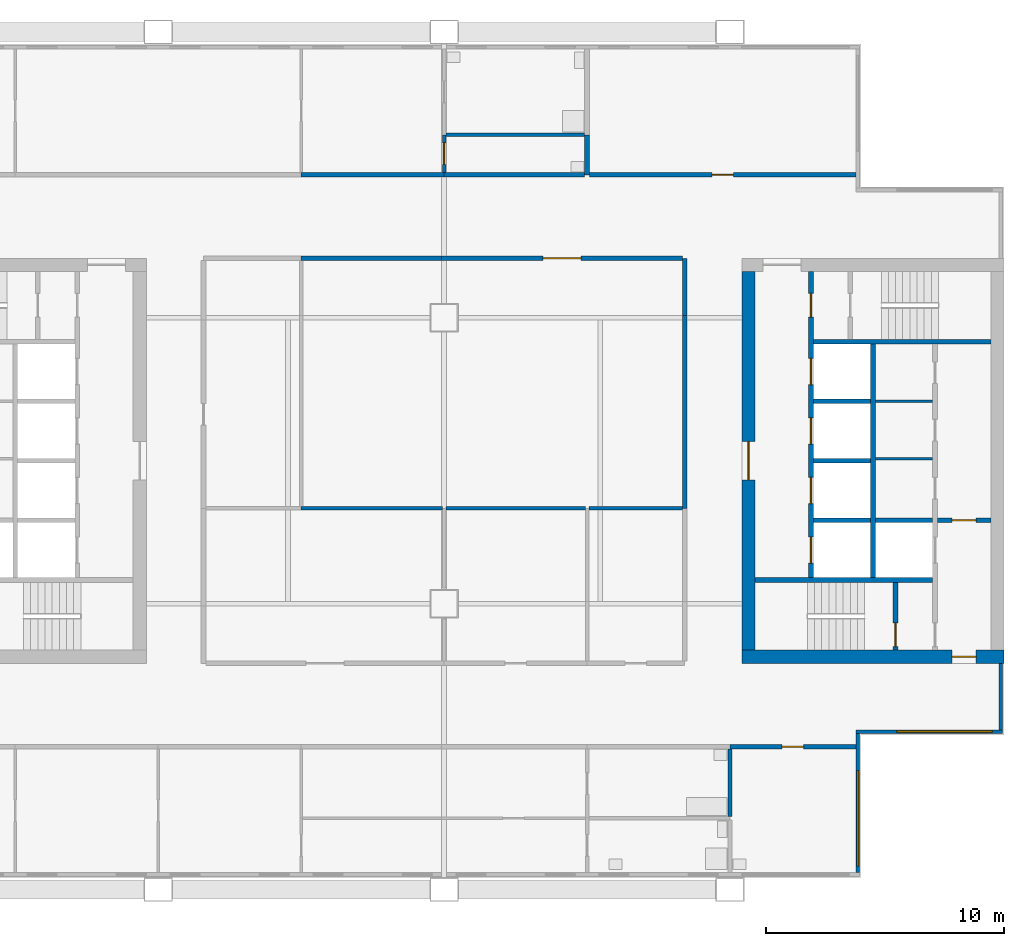
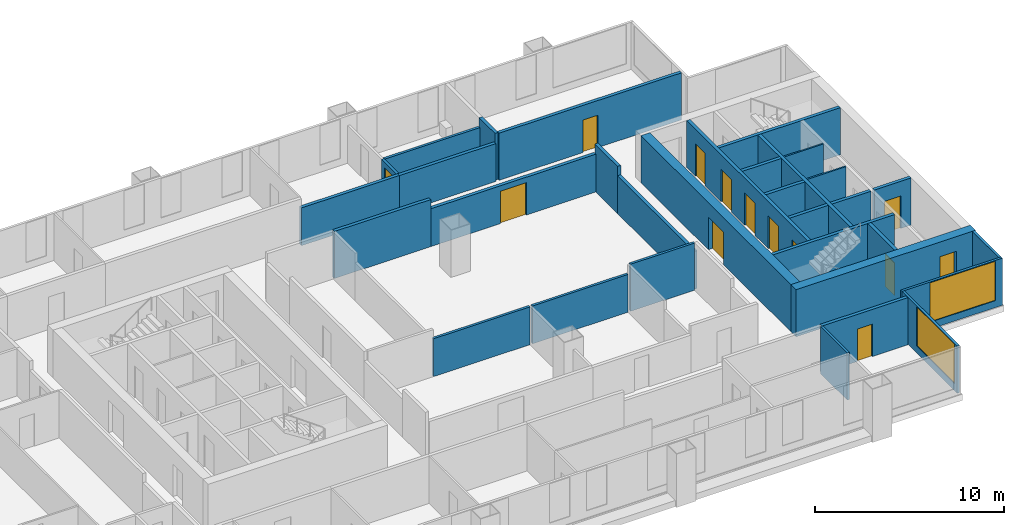
# One storey, part 5 of 9: 32 walls, 13 doors, 2 windows, 15 openings.
"""IFC4 building model written with IfcOpenShell, lengths in metres."""

from ifc_helpers import new_model, si_unit, direction, frame, frame_2d, origin, place, context, subcontext, project, spatial, rectangle, extrude, material, layer, layer_set, type_object, element, fill, save


model = new_model("IFC4")

# Units and contexts
model_context = context("Model", 3, precision=1e-05, world=origin(), true_north=direction((0.0, 1.0)))
body_context = subcontext(model_context, "Body", "Model", "MODEL_VIEW")
ifc_project = project(units=[si_unit("LENGTHUNIT", "METRE"), si_unit("AREAUNIT", "SQUARE_METRE"), si_unit("VOLUMEUNIT", "CUBIC_METRE"), si_unit("PLANEANGLEUNIT", "RADIAN"), si_unit("MASSUNIT", "GRAM", prefix="KILO")], contexts=[model_context])

# Site, building, storey
site_placement = place(None, origin())
site = spatial("IfcSite", under=ifc_project, at=site_placement, CompositionType="ELEMENT")
building_placement = place(site_placement, origin())
building = spatial("IfcBuilding", under=site, at=building_placement, Name="Kitamizu Gate Tower and Museum", CompositionType="ELEMENT")
storey_placement = place(building_placement, frame((0.0, 0.0, 196.199951171875)))
storey = spatial("IfcBuildingStorey", under=building, at=storey_placement, Name="L52", CompositionType="ELEMENT", Elevation=196.199951171875)

# Wall, opening, door
ifc_material_1 = material(Name="Concrete Fc42", Category="concrete")
ifc_layer_1 = layer(ifc_material_1, 0.550048828125)
ifc_layer_set_1 = layer_set([ifc_layer_1], Name="Concrete Fc42")
wall_type_1 = type_object("IfcWallType", Name="Core wall 550", PredefinedType="SHEAR", material=ifc_layer_set_1)
wall_1_placement = place(storey_placement, frame((59.5, 21.77490234375, 0.0), z_axis=(0.0, 0.0, 1.0), x_axis=(-1.0, 0.0, 0.0)))
wall_1 = element("IfcWall", 1, at=wall_1_placement, inside=storey, type_object=wall_type_1, Name="Core wall ES", PredefinedType="SHEAR", context=body_context, shape_type="SweptSolid", body=[
    extrude(rectangle(XDim=11.0, YDim=0.550048828125, at=frame_2d((5.5, 0.0))), origin(), (0.0, 0.0, 1.0), 3.050048828125),
])
opening_1_placement = place(wall_1_placement, frame((1.175048828125, 0.0, 0.0)))
opening_1 = element("IfcOpeningElement", 2, at=opening_1_placement, cuts=wall_1, Name="Opening L52-047", PredefinedType="OPENING", context=body_context, shape_type="SweptSolid", body=[
    extrude(rectangle(XDim=1.0, YDim=2.10009765625, at=frame_2d((0.5, 1.050048828125))), frame((0.0, 0.28515625, 0.0), z_axis=(0.0, -1.0, 0.0), x_axis=(1.0, 0.0, 0.0)), (0.0, 0.0, 1.0), 0.570068359375),
])
ifc_material_2 = material(Name="Hollow metal door set")
door_type_1 = type_object("IfcDoorType", Name="Fire door 1000", OperationType="NOTDEFINED", PredefinedType="DOOR", material=ifc_material_2)
door_1_placement = place(opening_1_placement, frame((1.0, 0.0, 0.0), x_axis=(-1.0, 0.0, 0.0)))
door_1 = element("IfcDoor", 3, at=door_1_placement, inside=storey, type_object=door_type_1, Name="Fire-fighting lobby door L52-047", OperationType="SINGLE_SWING_RIGHT", OverallHeight=2.10009765625, OverallWidth=1.0, PredefinedType="DOOR", context=body_context, shape_type="SweptSolid", body=[
    extrude(rectangle(XDim=1.0, YDim=2.10009765625, at=frame_2d((0.5, 1.050048828125))), frame((0.0, 0.02490234375, 0.0), z_axis=(0.0, -1.0, 0.0), x_axis=(1.0, 0.0, 0.0)), (0.0, 0.0, 1.0), 0.050048828125),
])
fill(opening_1, door_1)

wall_2_placement = place(storey_placement, frame((48.77490234375, 22.050048828125, 0.0), z_axis=(0.0, 0.0, 1.0), x_axis=(0.0, 1.0, 0.0)))
wall_2 = element("IfcWall", 4, at=wall_2_placement, inside=storey, type_object=wall_type_1, Name="Core wall EARC", PredefinedType="SHEAR", context=body_context, shape_type="SweptSolid", body=[
    extrude(rectangle(XDim=15.89990234375, YDim=0.550048828125, at=frame_2d((7.949951171875, 0.0))), origin(), (0.0, 0.0, 1.0), 3.050048828125),
])
opening_2_placement = place(wall_2_placement, frame((7.14990234375, 0.0, 0.0)))
opening_2 = element("IfcOpeningElement", 5, at=opening_2_placement, cuts=wall_2, Name="Opening L52-049", PredefinedType="OPENING", context=body_context, shape_type="SweptSolid", body=[
    extrude(rectangle(XDim=1.60009765625, YDim=2.10009765625, at=frame_2d((0.800048828125, 1.050048828125))), frame((0.0, 0.28515625, 0.0), z_axis=(0.0, -1.0, 0.0), x_axis=(1.0, 0.0, 0.0)), (0.0, 0.0, 1.0), 0.570068359375),
])
ifc_material_3 = material(Name="Timber door set", Category="wood")
door_type_2 = type_object("IfcDoorType", Name="Entrance door 1600", OperationType="DOUBLE_DOOR_SINGLE_SWING", PredefinedType="DOOR", material=ifc_material_3)
door_2_placement = place(opening_2_placement, origin())
door_2 = element("IfcDoor", 6, at=door_2_placement, inside=storey, type_object=door_type_2, Name="Lobby door L52-049", OperationType="DOUBLE_DOOR_SINGLE_SWING", OverallHeight=2.10009765625, OverallWidth=1.60009765625, PredefinedType="DOOR", context=body_context, shape_type="SweptSolid", body=[
    extrude(rectangle(XDim=1.60009765625, YDim=2.10009765625, at=frame_2d((0.800048828125, 1.050048828125))), frame((0.0, 0.02490234375, 0.0), z_axis=(0.0, -1.0, 0.0), x_axis=(1.0, 0.0, 0.0)), (0.0, 0.0, 1.0), 0.050048828125),
])
fill(opening_2, door_2)

# Walls
ifc_material_4 = material(Name="Gypsum board on galvanised stud")
ifc_layer_2 = layer(ifc_material_4, 0.10009765625)
ifc_layer_set_2 = layer_set([ifc_layer_2], Name="Gypsum board on galvanised stud")
wall_type_2 = type_object("IfcWallType", Name="Partition 100", PredefinedType="PARTITIONING", material=ifc_layer_set_2)
for number, where, z_axis, x_axis, name in (
    (7, (56.5, 30.08203125, 0.0), (0.0, 0.0, 1.0), (-1.0, 0.0, 0.0), "Partition EPF1"),
    (8, (56.5, 32.490966796875, 0.0), (0.0, 0.0, 1.0), (-1.0, 0.0, 0.0), "Partition EPF2"),
):
    element("IfcWall", number, at=place(storey_placement, frame(where, z_axis=z_axis, x_axis=x_axis)), inside=storey, type_object=wall_type_2, Name=name, PredefinedType="PARTITIONING", context=body_context, shape_type="SweptSolid", body=[
        extrude(rectangle(XDim=2.39990234375, YDim=0.10009765625, at=frame_2d((1.199951171875, 0.0))), origin(), (0.0, 0.0, 1.0), 3.050048828125),
    ])
ifc_material_5 = material(Name="Gypsum board on galvanised stud")
ifc_layer_3 = layer(ifc_material_5, 0.14990234375)
ifc_layer_set_3 = layer_set([ifc_layer_3], Name="Gypsum board on galvanised stud")
wall_type_3 = type_object("IfcWallType", Name="Partition 150", PredefinedType="PARTITIONING", material=ifc_layer_set_3)
wall_3_placement = place(storey_placement, frame((48.0, 15.074951171875, 0.0), z_axis=(0.0, 0.0, 1.0), x_axis=(0.0, 1.0, 0.0)))
element("IfcWall", 9, at=wall_3_placement, inside=storey, type_object=wall_type_3, Name="Partition L52-020", PredefinedType="PARTITIONING", context=body_context, shape_type="SweptSolid", body=[
    extrude(rectangle(XDim=2.824951171875, YDim=0.14990234375, at=frame_2d((1.41259765625, 0.0))), origin(), (0.0, 0.0, 1.0), 3.050048828125),
])

# Wall, opening, door
wall_4_placement = place(storey_placement, frame((36.0, 42.10009765625, 0.0), z_axis=(0.0, 0.0, 1.0), x_axis=(0.0, 1.0, 0.0)))
wall_4 = element("IfcWall", 10, at=wall_4_placement, inside=storey, type_object=wall_type_3, Name="Partition L52-031", PredefinedType="PARTITIONING", context=body_context, shape_type="SweptSolid", body=[
    extrude(rectangle(XDim=1.579833984375, YDim=0.14990234375, at=frame_2d((0.7900390625, 0.0))), origin(), (0.0, 0.0, 1.0), 2.449951171875),
])
opening_3_placement = place(wall_4_placement, frame((0.340087890625, 0.0, 0.0)))
opening_3 = element("IfcOpeningElement", 11, at=opening_3_placement, cuts=wall_4, Name="Opening L52-015", PredefinedType="OPENING", context=body_context, shape_type="SweptSolid", body=[
    extrude(rectangle(XDim=0.89990234375, YDim=2.10009765625, at=frame_2d((0.449951171875, 1.050048828125))), frame((0.0, 0.0849609375, 0.0), z_axis=(0.0, -1.0, 0.0), x_axis=(1.0, 0.0, 0.0)), (0.0, 0.0, 1.0), 0.169921875),
])
ifc_material_6 = material(Name="Timber door set", Category="wood")
door_type_3 = type_object("IfcDoorType", Name="Bathroom door 900", OperationType="NOTDEFINED", PredefinedType="DOOR", material=ifc_material_6)
door_3_placement = place(opening_3_placement, frame((0.89990234375, 0.0, 0.0), x_axis=(-1.0, 0.0, 0.0)))
door_3 = element("IfcDoor", 12, at=door_3_placement, inside=storey, type_object=door_type_3, Name="Bathroom door L52-015", OperationType="SINGLE_SWING_LEFT", OverallHeight=2.10009765625, OverallWidth=0.89990234375, PredefinedType="DOOR", context=body_context, shape_type="SweptSolid", body=[
    extrude(rectangle(XDim=0.89990234375, YDim=2.10009765625, at=frame_2d((0.449951171875, 1.050048828125))), frame((0.0, 0.02490234375, 0.0), z_axis=(0.0, -1.0, 0.0), x_axis=(1.0, 0.0, 0.0)), (0.0, 0.0, 1.0), 0.050048828125),
])
fill(opening_3, door_3)

# Walls
wall_5_placement = place(storey_placement, frame((36.074951171875, 43.679931640625, 0.0), z_axis=(0.0, 0.0, 1.0), x_axis=(1.0, 0.0, 0.0)))
element("IfcWall", 13, at=wall_5_placement, inside=storey, type_object=wall_type_3, Name="Partition L52-033", PredefinedType="PARTITIONING", context=body_context, shape_type="SweptSolid", body=[
    extrude(rectangle(XDim=5.824951171875, YDim=0.14990234375, at=frame_2d((2.91259765625, 0.0))), origin(), (0.0, 0.0, 1.0), 2.449951171875),
])
wall_6_placement = place(storey_placement, frame((35.925048828125, 28.0, 0.0), z_axis=(0.0, 0.0, 1.0), x_axis=(-1.0, 0.0, 0.0)))
element("IfcWall", 14, at=wall_6_placement, inside=storey, type_object=wall_type_3, Name="Partition L52-074", PredefinedType="PARTITIONING", context=body_context, shape_type="SweptSolid", body=[
    extrude(rectangle(XDim=5.925048828125, YDim=0.14990234375, at=frame_2d((2.96240234375, 0.0))), origin(), (0.0, 0.0, 1.0), 2.449951171875),
])
wall_7_placement = place(storey_placement, frame((41.925048828125, 28.0, 0.0), z_axis=(0.0, 0.0, 1.0), x_axis=(-1.0, 0.0, 0.0)))
element("IfcWall", 15, at=wall_7_placement, inside=storey, type_object=wall_type_3, Name="Partition L52-077", PredefinedType="PARTITIONING", context=body_context, shape_type="SweptSolid", body=[
    extrude(rectangle(XDim=5.85009765625, YDim=0.14990234375, at=frame_2d((2.925048828125, 0.0))), origin(), (0.0, 0.0, 1.0), 2.449951171875),
])
wall_8_placement = place(storey_placement, frame((46.0, 28.0, 0.0), z_axis=(0.0, 0.0, 1.0), x_axis=(-1.0, 0.0, 0.0)))
element("IfcWall", 16, at=wall_8_placement, inside=storey, type_object=wall_type_3, Name="Partition L52-078", PredefinedType="PARTITIONING", context=body_context, shape_type="SweptSolid", body=[
    extrude(rectangle(XDim=3.925048828125, YDim=0.14990234375, at=frame_2d((1.96240234375, 0.0))), origin(), (0.0, 0.0, 1.0), 3.050048828125),
])

# Wall, opening, door
ifc_material_7 = material(Name="Gypsum board on galvanised stud")
ifc_layer_4 = layer(ifc_material_7, 0.199951171875)
ifc_layer_set_4 = layer_set([ifc_layer_4], Name="Gypsum board on galvanised stud")
wall_type_4 = type_object("IfcWallType", Name="Partition 200", PredefinedType="PARTITIONING", material=ifc_layer_set_4)
wall_9_placement = place(storey_placement, frame((53.280029296875, 18.0, 0.0), z_axis=(0.0, 0.0, 1.0), x_axis=(-1.0, 0.0, 0.0)))
wall_9 = element("IfcWall", 17, at=wall_9_placement, inside=storey, type_object=wall_type_4, Name="Partition L52-022", PredefinedType="PARTITIONING", context=body_context, shape_type="SweptSolid", body=[
    extrude(rectangle(XDim=5.280029296875, YDim=0.199951171875, at=frame_2d((2.64013671875, 0.0))), origin(), (0.0, 0.0, 1.0), 3.050048828125),
])
opening_4_placement = place(wall_9_placement, frame((2.18994140625, 0.0, 0.0)))
opening_4 = element("IfcOpeningElement", 18, at=opening_4_placement, cuts=wall_9, Name="Opening L52-009", PredefinedType="OPENING", context=body_context, shape_type="SweptSolid", body=[
    extrude(rectangle(XDim=0.89990234375, YDim=2.10009765625, at=frame_2d((0.449951171875, 1.050048828125))), frame((0.0, 0.10986328125, 0.0), z_axis=(0.0, -1.0, 0.0), x_axis=(1.0, 0.0, 0.0)), (0.0, 0.0, 1.0), 0.219970703125),
])
ifc_material_8 = material(Name="Timber door set", Category="wood")
door_type_4 = type_object("IfcDoorType", Name="Store door 900", OperationType="NOTDEFINED", PredefinedType="DOOR", material=ifc_material_8)
door_4_placement = place(opening_4_placement, origin())
door_4 = element("IfcDoor", 19, at=door_4_placement, inside=storey, type_object=door_type_4, Name="Service entrance door L52-009", OperationType="SINGLE_SWING_RIGHT", OverallHeight=2.10009765625, OverallWidth=0.89990234375, PredefinedType="DOOR", context=body_context, shape_type="SweptSolid", body=[
    extrude(rectangle(XDim=0.89990234375, YDim=2.10009765625, at=frame_2d((0.449951171875, 1.050048828125))), frame((0.0, 0.02490234375, 0.0), z_axis=(0.0, -1.0, 0.0), x_axis=(1.0, 0.0, 0.0)), (0.0, 0.0, 1.0), 0.050048828125),
])
fill(opening_4, door_4)

# Walls
wall_10_placement = place(storey_placement, frame((30.0, 42.0, 0.0), z_axis=(0.0, 0.0, 1.0), x_axis=(1.0, 0.0, 0.0)))
element("IfcWall", 20, at=wall_10_placement, inside=storey, type_object=wall_type_4, Name="Partition L52-032", PredefinedType="PARTITIONING", context=body_context, shape_type="SweptSolid", body=[
    extrude(rectangle(XDim=6.0, YDim=0.199951171875, at=frame_2d((3.0, 0.0))), origin(), (0.0, 0.0, 1.0), 2.449951171875),
])
wall_11_placement = place(storey_placement, frame((42.0, 42.0, 0.0), z_axis=(0.0, 0.0, 1.0), x_axis=(0.0, 1.0, 0.0)))
element("IfcWall", 21, at=wall_11_placement, inside=storey, type_object=wall_type_4, Name="Partition L52-035", PredefinedType="PARTITIONING", context=body_context, shape_type="SweptSolid", body=[
    extrude(rectangle(XDim=1.679931640625, YDim=0.199951171875, at=frame_2d((0.83984375, 0.0))), origin(), (0.0, 0.0, 1.0), 3.050048828125),
])
wall_12_placement = place(storey_placement, frame((36.0, 42.0, 0.0), z_axis=(0.0, 0.0, 1.0), x_axis=(1.0, 0.0, 0.0)))
element("IfcWall", 22, at=wall_12_placement, inside=storey, type_object=wall_type_4, Name="Partition L52-036", PredefinedType="PARTITIONING", context=body_context, shape_type="SweptSolid", body=[
    extrude(rectangle(XDim=5.89990234375, YDim=0.199951171875, at=frame_2d((2.949951171875, 0.0))), origin(), (0.0, 0.0, 1.0), 2.449951171875),
])

# Wall, opening, door
wall_13_placement = place(storey_placement, frame((42.10009765625, 42.0, 0.0), z_axis=(0.0, 0.0, 1.0), x_axis=(1.0, 0.0, 0.0)))
wall_13 = element("IfcWall", 23, at=wall_13_placement, inside=storey, type_object=wall_type_4, Name="Partition L52-037", PredefinedType="PARTITIONING", context=body_context, shape_type="SweptSolid", body=[
    extrude(rectangle(XDim=11.179931640625, YDim=0.199951171875, at=frame_2d((5.58984375, 0.0))), origin(), (0.0, 0.0, 1.0), 3.050048828125),
])
opening_5_placement = place(wall_13_placement, frame((5.139892578125, 0.0, 0.0)))
opening_5 = element("IfcOpeningElement", 24, at=opening_5_placement, cuts=wall_13, Name="Opening L52-024", PredefinedType="OPENING", context=body_context, shape_type="SweptSolid", body=[
    extrude(rectangle(XDim=0.89990234375, YDim=2.10009765625, at=frame_2d((0.449951171875, 1.050048828125))), frame((0.0, 0.10986328125, 0.0), z_axis=(0.0, -1.0, 0.0), x_axis=(1.0, 0.0, 0.0)), (0.0, 0.0, 1.0), 0.219970703125),
])
ifc_material_9 = material(Name="Timber door set", Category="wood")
door_type_5 = type_object("IfcDoorType", Name="Room door 900", OperationType="NOTDEFINED", PredefinedType="DOOR", material=ifc_material_9)
door_5_placement = place(opening_5_placement, origin())
door_5 = element("IfcDoor", 25, at=door_5_placement, inside=storey, type_object=door_type_5, Name="Door L52-024", OperationType="SINGLE_SWING_LEFT", OverallHeight=2.10009765625, OverallWidth=0.89990234375, PredefinedType="DOOR", context=body_context, shape_type="SweptSolid", body=[
    extrude(rectangle(XDim=0.89990234375, YDim=2.10009765625, at=frame_2d((0.449951171875, 1.050048828125))), frame((0.0, 0.02490234375, 0.0), z_axis=(0.0, -1.0, 0.0), x_axis=(1.0, 0.0, 0.0)), (0.0, 0.0, 1.0), 0.050048828125),
])
fill(opening_5, door_5)

# Walls
wall_14_placement = place(storey_placement, frame((46.10009765625, 28.0, 0.0), z_axis=(0.0, 0.0, 1.0), x_axis=(0.0, 1.0, 0.0)))
element("IfcWall", 26, at=wall_14_placement, inside=storey, type_object=wall_type_4, Name="Partition L52-067", PredefinedType="PARTITIONING", context=body_context, shape_type="SweptSolid", body=[
    extrude(rectangle(XDim=8.10009765625, YDim=0.199951171875, at=frame_2d((4.050048828125, 0.0))), origin(), (0.0, 0.0, 1.0), 2.449951171875),
])
wall_15_placement = place(storey_placement, frame((46.10009765625, 36.10009765625, 0.0), z_axis=(0.0, 0.0, 1.0), x_axis=(0.0, 1.0, 0.0)))
element("IfcWall", 27, at=wall_15_placement, inside=storey, type_object=wall_type_4, Name="Partition L52-068", PredefinedType="PARTITIONING", context=body_context, shape_type="SweptSolid", body=[
    extrude(rectangle(XDim=2.39990234375, YDim=0.199951171875, at=frame_2d((1.199951171875, 0.0))), origin(), (0.0, 0.0, 1.0), 3.050048828125),
])

# Wall, opening, door
wall_16_placement = place(storey_placement, frame((46.0, 38.5, 0.0), z_axis=(0.0, 0.0, 1.0), x_axis=(-1.0, 0.0, 0.0)))
wall_16 = element("IfcWall", 28, at=wall_16_placement, inside=storey, type_object=wall_type_4, Name="Partition L52-069", PredefinedType="PARTITIONING", context=body_context, shape_type="SweptSolid", body=[
    extrude(rectangle(XDim=10.10009765625, YDim=0.199951171875, at=frame_2d((5.050048828125, 0.0))), origin(), (0.0, 0.0, 1.0), 2.449951171875),
])
opening_6_placement = place(wall_16_placement, frame((4.25, 0.0, 0.0)))
opening_6 = element("IfcOpeningElement", 29, at=opening_6_placement, cuts=wall_16, Name="Opening L52-029", PredefinedType="OPENING", context=body_context, shape_type="SweptSolid", body=[
    extrude(rectangle(XDim=1.60009765625, YDim=2.10009765625, at=frame_2d((0.800048828125, 1.050048828125))), frame((0.0, 0.10986328125, 0.0), z_axis=(0.0, -1.0, 0.0), x_axis=(1.0, 0.0, 0.0)), (0.0, 0.0, 1.0), 0.219970703125),
])
ifc_material_10 = material(Name="Timber door set", Category="wood")
door_type_6 = type_object("IfcDoorType", Name="Double door 1600", OperationType="DOUBLE_DOOR_SINGLE_SWING", PredefinedType="DOOR", material=ifc_material_10)
door_6_placement = place(opening_6_placement, origin())
door_6 = element("IfcDoor", 30, at=door_6_placement, inside=storey, type_object=door_type_6, Name="Double door L52-029", OperationType="DOUBLE_DOOR_SINGLE_SWING", OverallHeight=2.10009765625, OverallWidth=1.60009765625, PredefinedType="DOOR", context=body_context, shape_type="SweptSolid", body=[
    extrude(rectangle(XDim=1.60009765625, YDim=2.10009765625, at=frame_2d((0.800048828125, 1.050048828125))), frame((0.0, 0.02490234375, 0.0), z_axis=(0.0, -1.0, 0.0), x_axis=(1.0, 0.0, 0.0)), (0.0, 0.0, 1.0), 0.050048828125),
])
fill(opening_6, door_6)

# Wall
wall_17_placement = place(storey_placement, frame((35.89990234375, 38.5, 0.0), z_axis=(0.0, 0.0, 1.0), x_axis=(-1.0, 0.0, 0.0)))
element("IfcWall", 31, at=wall_17_placement, inside=storey, type_object=wall_type_4, Name="Partition L52-070", PredefinedType="PARTITIONING", context=body_context, shape_type="SweptSolid", body=[
    extrude(rectangle(XDim=5.89990234375, YDim=0.199951171875, at=frame_2d((2.949951171875, 0.0))), origin(), (0.0, 0.0, 1.0), 3.050048828125),
])

# Wall, openings, doors
ifc_material_11 = material(Name="Concrete Fc42", Category="concrete")
ifc_layer_5 = layer(ifc_material_11, 0.199951171875)
ifc_layer_set_5 = layer_set([ifc_layer_5], Name="Concrete Fc42")
wall_type_5 = type_object("IfcWallType", Name="Shaft wall 200", PredefinedType="SOLIDWALL", material=ifc_layer_set_5)
wall_18_placement = place(storey_placement, frame((51.39990234375, 25.10009765625, 0.0), z_axis=(0.0, 0.0, 1.0), x_axis=(0.0, 1.0, 0.0)))
wall_18 = element("IfcWall", 32, at=wall_18_placement, inside=storey, type_object=wall_type_5, Name="Shaft wall EEAST", PredefinedType="SOLIDWALL", context=body_context, shape_type="SweptSolid", body=[
    extrude(rectangle(XDim=12.849853515625, YDim=0.199951171875, at=frame_2d((6.4248046875, 0.0))), origin(), (0.0, 0.0, 1.0), 3.050048828125),
])
opening_7_placement = place(wall_18_placement, frame((0.60009765625, 0.0, 0.0)))
opening_7 = element("IfcOpeningElement", 33, at=opening_7_placement, cuts=wall_18, Name="Opening LD", PredefinedType="OPENING", context=body_context, shape_type="SweptSolid", body=[
    extrude(rectangle(XDim=1.10009765625, YDim=2.10009765625, at=frame_2d((0.550048828125, 1.050048828125))), frame((0.0, 0.10986328125, 0.0), z_axis=(0.0, -1.0, 0.0), x_axis=(1.0, 0.0, 0.0)), (0.0, 0.0, 1.0), 0.219970703125),
])
opening_8_placement = place(wall_18_placement, frame((3.10009765625, 0.0, 0.0)))
opening_8 = element("IfcOpeningElement", 34, at=opening_8_placement, cuts=wall_18, Name="Opening LD", PredefinedType="OPENING", context=body_context, shape_type="SweptSolid", body=[
    extrude(rectangle(XDim=1.10009765625, YDim=2.10009765625, at=frame_2d((0.550048828125, 1.050048828125))), frame((0.0, 0.10986328125, 0.0), z_axis=(0.0, -1.0, 0.0), x_axis=(1.0, 0.0, 0.0)), (0.0, 0.0, 1.0), 0.219970703125),
])
opening_9_placement = place(wall_18_placement, frame((5.60009765625, 0.0, 0.0)))
opening_9 = element("IfcOpeningElement", 35, at=opening_9_placement, cuts=wall_18, Name="Opening LD", PredefinedType="OPENING", context=body_context, shape_type="SweptSolid", body=[
    extrude(rectangle(XDim=1.10009765625, YDim=2.10009765625, at=frame_2d((0.550048828125, 1.050048828125))), frame((0.0, 0.10986328125, 0.0), z_axis=(0.0, -1.0, 0.0), x_axis=(1.0, 0.0, 0.0)), (0.0, 0.0, 1.0), 0.219970703125),
])
opening_10_placement = place(wall_18_placement, frame((8.10009765625, 0.0, 0.0)))
opening_10 = element("IfcOpeningElement", 36, at=opening_10_placement, cuts=wall_18, Name="Opening LD", PredefinedType="OPENING", context=body_context, shape_type="SweptSolid", body=[
    extrude(rectangle(XDim=1.10009765625, YDim=2.10009765625, at=frame_2d((0.550048828125, 1.050048828125))), frame((0.0, 0.10986328125, 0.0), z_axis=(0.0, -1.0, 0.0), x_axis=(1.0, 0.0, 0.0)), (0.0, 0.0, 1.0), 0.219970703125),
])
opening_11_placement = place(wall_18_placement, frame((10.925048828125, 0.0, 0.0)))
opening_11 = element("IfcOpeningElement", 37, at=opening_11_placement, cuts=wall_18, Name="Opening L52-044", PredefinedType="OPENING", context=body_context, shape_type="SweptSolid", body=[
    extrude(rectangle(XDim=1.0, YDim=2.10009765625, at=frame_2d((0.5, 1.050048828125))), frame((0.0, 0.10986328125, 0.0), z_axis=(0.0, -1.0, 0.0), x_axis=(1.0, 0.0, 0.0)), (0.0, 0.0, 1.0), 0.219970703125),
])
door_7_placement = place(opening_11_placement, frame((1.0, 0.0, 0.0), x_axis=(-1.0, 0.0, 0.0)))
door_7 = element("IfcDoor", 38, at=door_7_placement, inside=storey, type_object=door_type_1, Name="Stair lobby door L52-044", OperationType="SINGLE_SWING_LEFT", OverallHeight=2.10009765625, OverallWidth=1.0, PredefinedType="DOOR", context=body_context, shape_type="SweptSolid", body=[
    extrude(rectangle(XDim=1.0, YDim=2.10009765625, at=frame_2d((0.5, 1.050048828125))), frame((0.0, 0.02490234375, 0.0), z_axis=(0.0, -1.0, 0.0), x_axis=(1.0, 0.0, 0.0)), (0.0, 0.0, 1.0), 0.050048828125),
])
fill(opening_11, door_7)
ifc_material_12 = material(Name="Hollow metal door set")
door_type_7 = type_object("IfcDoorType", Name="Landing door 1100", OperationType="SLIDING_TO_LEFT", PredefinedType="DOOR", material=ifc_material_12)
door_8_placement = place(opening_7_placement, origin())
door_8 = element("IfcDoor", 39, at=door_8_placement, inside=storey, type_object=door_type_7, Name="Landing door ESV1", OperationType="SLIDING_TO_LEFT", OverallHeight=2.10009765625, OverallWidth=1.10009765625, PredefinedType="DOOR", context=body_context, shape_type="SweptSolid", body=[
    extrude(rectangle(XDim=1.10009765625, YDim=2.10009765625, at=frame_2d((0.550048828125, 1.050048828125))), frame((0.0, 0.02490234375, 0.0), z_axis=(0.0, -1.0, 0.0), x_axis=(1.0, 0.0, 0.0)), (0.0, 0.0, 1.0), 0.050048828125),
])
fill(opening_7, door_8)
door_9_placement = place(opening_8_placement, origin())
door_9 = element("IfcDoor", 40, at=door_9_placement, inside=storey, type_object=door_type_7, Name="Landing door EH1", OperationType="SLIDING_TO_LEFT", OverallHeight=2.10009765625, OverallWidth=1.10009765625, PredefinedType="DOOR", context=body_context, shape_type="SweptSolid", body=[
    extrude(rectangle(XDim=1.10009765625, YDim=2.10009765625, at=frame_2d((0.550048828125, 1.050048828125))), frame((0.0, 0.02490234375, 0.0), z_axis=(0.0, -1.0, 0.0), x_axis=(1.0, 0.0, 0.0)), (0.0, 0.0, 1.0), 0.050048828125),
])
fill(opening_8, door_9)
door_10_placement = place(opening_9_placement, origin())
door_10 = element("IfcDoor", 41, at=door_10_placement, inside=storey, type_object=door_type_7, Name="Landing door EH2", OperationType="SLIDING_TO_LEFT", OverallHeight=2.10009765625, OverallWidth=1.10009765625, PredefinedType="DOOR", context=body_context, shape_type="SweptSolid", body=[
    extrude(rectangle(XDim=1.10009765625, YDim=2.10009765625, at=frame_2d((0.550048828125, 1.050048828125))), frame((0.0, 0.02490234375, 0.0), z_axis=(0.0, -1.0, 0.0), x_axis=(1.0, 0.0, 0.0)), (0.0, 0.0, 1.0), 0.050048828125),
])
fill(opening_9, door_10)
door_11_placement = place(opening_10_placement, origin())
door_11 = element("IfcDoor", 42, at=door_11_placement, inside=storey, type_object=door_type_7, Name="Landing door EH3", OperationType="SLIDING_TO_LEFT", OverallHeight=2.10009765625, OverallWidth=1.10009765625, PredefinedType="DOOR", context=body_context, shape_type="SweptSolid", body=[
    extrude(rectangle(XDim=1.10009765625, YDim=2.10009765625, at=frame_2d((0.550048828125, 1.050048828125))), frame((0.0, 0.02490234375, 0.0), z_axis=(0.0, -1.0, 0.0), x_axis=(1.0, 0.0, 0.0)), (0.0, 0.0, 1.0), 0.050048828125),
])
fill(opening_10, door_11)

# Walls
wall_19_placement = place(storey_placement, frame((54.0, 25.10009765625, 0.0), z_axis=(0.0, 0.0, 1.0), x_axis=(0.0, 1.0, 0.0)))
element("IfcWall", 43, at=wall_19_placement, inside=storey, type_object=wall_type_5, Name="Shaft wall EMID", PredefinedType="SOLIDWALL", context=body_context, shape_type="SweptSolid", body=[
    extrude(rectangle(XDim=9.7998046875, YDim=0.199951171875, at=frame_2d((4.89990234375, 0.0))), origin(), (0.0, 0.0, 1.0), 3.050048828125),
])
for number, where, z_axis, x_axis, name in (
    (44, (56.5, 25.0, 0.0), (0.0, 0.0, 1.0), (-1.0, 0.0, 0.0), "Shaft wall ESB"),
    (45, (58.949951171875, 35.0, 0.0), (0.0, 0.0, 1.0), (-1.0, 0.0, 0.0), "Shaft wall ENB"),
):
    element("IfcWall", number, at=place(storey_placement, frame(where, z_axis=z_axis, x_axis=x_axis)), inside=storey, type_object=wall_type_5, Name=name, PredefinedType="SOLIDWALL", context=body_context, shape_type="SweptSolid", body=[
        extrude(rectangle(XDim=7.449951171875, YDim=0.199951171875, at=frame_2d((3.72509765625, 0.0))), origin(), (0.0, 0.0, 1.0), 3.050048828125),
    ])

# Wall, opening, door
wall_20_placement = place(storey_placement, frame((58.949951171875, 27.5, 0.0), z_axis=(0.0, 0.0, 1.0), x_axis=(-1.0, 0.0, 0.0)))
wall_20 = element("IfcWall", 46, at=wall_20_placement, inside=storey, type_object=wall_type_5, Name="Shaft wall EFFN", PredefinedType="SOLIDWALL", context=body_context, shape_type="SweptSolid", body=[
    extrude(rectangle(XDim=2.25, YDim=0.199951171875, at=frame_2d((1.125, 0.0))), origin(), (0.0, 0.0, 1.0), 3.050048828125),
])
opening_12_placement = place(wall_20_placement, frame((0.625, 0.0, 0.0)))
opening_12 = element("IfcOpeningElement", 47, at=opening_12_placement, cuts=wall_20, Name="Opening L52-046", PredefinedType="OPENING", context=body_context, shape_type="SweptSolid", body=[
    extrude(rectangle(XDim=1.0, YDim=2.10009765625, at=frame_2d((0.5, 1.050048828125))), frame((0.0, 0.10986328125, 0.0), z_axis=(0.0, -1.0, 0.0), x_axis=(1.0, 0.0, 0.0)), (0.0, 0.0, 1.0), 0.219970703125),
])
door_12_placement = place(opening_12_placement, origin())
door_12 = element("IfcDoor", 48, at=door_12_placement, inside=storey, type_object=door_type_1, Name="Fire-fighting lobby door L52-046", OperationType="SINGLE_SWING_RIGHT", OverallHeight=2.10009765625, OverallWidth=1.0, PredefinedType="DOOR", context=body_context, shape_type="SweptSolid", body=[
    extrude(rectangle(XDim=1.0, YDim=2.10009765625, at=frame_2d((0.5, 1.050048828125))), frame((0.0, 0.02490234375, 0.0), z_axis=(0.0, -1.0, 0.0), x_axis=(1.0, 0.0, 0.0)), (0.0, 0.0, 1.0), 0.050048828125),
])
fill(opening_12, door_12)

wall_21_placement = place(storey_placement, frame((54.949951171875, 22.050048828125, 0.0), z_axis=(0.0, 0.0, 1.0), x_axis=(0.0, 1.0, 0.0)))
wall_21 = element("IfcWall", 49, at=wall_21_placement, inside=storey, type_object=wall_type_5, Name="Shaft wall ESZ", PredefinedType="SOLIDWALL", context=body_context, shape_type="SweptSolid", body=[
    extrude(rectangle(XDim=2.849853515625, YDim=0.199951171875, at=frame_2d((1.4248046875, 0.0))), origin(), (0.0, 0.0, 1.0), 3.050048828125),
])
opening_13_placement = place(wall_21_placement, frame((0.14990234375, 0.0, 0.0)))
opening_13 = element("IfcOpeningElement", 50, at=opening_13_placement, cuts=wall_21, Name="Opening L52-042", PredefinedType="OPENING", context=body_context, shape_type="SweptSolid", body=[
    extrude(rectangle(XDim=1.0, YDim=2.10009765625, at=frame_2d((0.5, 1.050048828125))), frame((0.0, 0.10986328125, 0.0), z_axis=(0.0, -1.0, 0.0), x_axis=(1.0, 0.0, 0.0)), (0.0, 0.0, 1.0), 0.219970703125),
])
door_13_placement = place(opening_13_placement, origin())
door_13 = element("IfcDoor", 51, at=door_13_placement, inside=storey, type_object=door_type_1, Name="Stair door L52-042", OperationType="SINGLE_SWING_RIGHT", OverallHeight=2.10009765625, OverallWidth=1.0, PredefinedType="DOOR", context=body_context, shape_type="SweptSolid", body=[
    extrude(rectangle(XDim=1.0, YDim=2.10009765625, at=frame_2d((0.5, 1.050048828125))), frame((0.0, 0.02490234375, 0.0), z_axis=(0.0, -1.0, 0.0), x_axis=(1.0, 0.0, 0.0)), (0.0, 0.0, 1.0), 0.050048828125),
])
fill(opening_13, door_13)

# Walls
for number, where, z_axis, x_axis, name in (
    (52, (56.5, 27.5, 0.0), (0.0, 0.0, 1.0), (-1.0, 0.0, 0.0), "Shaft wall EDVW0"),
    (53, (53.89990234375, 27.5, 0.0), (0.0, 0.0, 1.0), (-1.0, 0.0, 0.0), "Shaft wall EDVE0"),
    (54, (53.89990234375, 30.0, 0.0), (0.0, 0.0, 1.0), (-1.0, 0.0, 0.0), "Shaft wall EDVE1"),
    (55, (53.89990234375, 32.5, 0.0), (0.0, 0.0, 1.0), (-1.0, 0.0, 0.0), "Shaft wall EDVE2"),
):
    element("IfcWall", number, at=place(storey_placement, frame(where, z_axis=z_axis, x_axis=x_axis)), inside=storey, type_object=wall_type_5, Name=name, PredefinedType="SOLIDWALL", context=body_context, shape_type="SweptSolid", body=[
        extrude(rectangle(XDim=2.39990234375, YDim=0.199951171875, at=frame_2d((1.199951171875, 0.0))), origin(), (0.0, 0.0, 1.0), 3.050048828125),
    ])

# Wall, opening, window
ifc_material_13 = material(Name="Bronze anodised aluminium frame with insulated spandrel and tinted glass", Category="aluminium")
ifc_layer_6 = layer(ifc_material_13, 0.14990234375)
ifc_layer_set_6 = layer_set([ifc_layer_6], Name="Bronze anodised aluminium frame with insulated spandrel and tinted glass")
wall_type_6 = type_object("IfcWallType", Name="WINDOW WALL 150 BRONZE FRAME EI 30", PredefinedType="ELEMENTEDWALL", material=ifc_layer_set_6)
wall_22_placement = place(storey_placement, frame((53.364990234375, 12.7099609375, 0.0), z_axis=(0.0, 0.0, 1.0), x_axis=(0.0, 1.0, 0.0)))
wall_22 = element("IfcWall", 56, at=wall_22_placement, inside=storey, type_object=wall_type_6, Name="Window wall east L52", PredefinedType="ELEMENTEDWALL", context=body_context, shape_type="SweptSolid", body=[
    extrude(rectangle(XDim=5.85009765625, YDim=0.14990234375, at=frame_2d((2.925048828125, 0.0))), origin(), (0.0, 0.0, 1.0), 3.050048828125),
])
opening_14_placement = place(wall_22_placement, frame((0.2900390625, 0.0, 0.449951171875)))
opening_14 = element("IfcOpeningElement", 57, at=opening_14_placement, cuts=wall_22, Name="Opening W16", PredefinedType="OPENING", context=body_context, shape_type="SweptSolid", body=[
    extrude(rectangle(XDim=4.0, YDim=2.550048828125, at=frame_2d((2.0, 1.27490234375))), frame((0.0, 0.0849609375, 0.0), z_axis=(0.0, -1.0, 0.0), x_axis=(1.0, 0.0, 0.0)), (0.0, 0.0, 1.0), 0.169921875),
])
ifc_material_14 = material(Name="Bronze anodised aluminium frame, tinted triple glazing", Category="aluminium")
window_type = type_object("IfcWindowType", Name="WINDOW 4000 x 2550 SILL 450", PartitioningType="SINGLE_PANEL", PredefinedType="WINDOW", material=ifc_material_14)
window_1_placement = place(opening_14_placement, origin())
window_1 = element("IfcWindow", 58, at=window_1_placement, inside=storey, type_object=window_type, Name="Window W16 L52", OverallHeight=2.550048828125, OverallWidth=4.0, PartitioningType="SINGLE_PANEL", PredefinedType="WINDOW", context=body_context, shape_type="SweptSolid", body=[
    extrude(rectangle(XDim=4.0, YDim=2.550048828125, at=frame_2d((2.0, 1.27490234375))), frame((0.0, 0.030029296875, 0.0), z_axis=(0.0, -1.0, 0.0), x_axis=(1.0, 0.0, 0.0)), (0.0, 0.0, 1.0), 0.06005859375),
])
fill(opening_14, window_1)

wall_23_placement = place(storey_placement, frame((53.2900390625, 18.635009765625, 0.0), z_axis=(0.0, 0.0, 1.0), x_axis=(1.0, 0.0, 0.0)))
wall_23 = element("IfcWall", 59, at=wall_23_placement, inside=storey, type_object=wall_type_6, Name="Window wall south L52", PredefinedType="ELEMENTEDWALL", context=body_context, shape_type="SweptSolid", body=[
    extrude(rectangle(XDim=6.14990234375, YDim=0.14990234375, at=frame_2d((3.074951171875, 0.0))), origin(), (0.0, 0.0, 1.0), 3.050048828125),
])
opening_15_placement = place(wall_23_placement, frame((1.7099609375, 0.0, 0.449951171875)))
opening_15 = element("IfcOpeningElement", 60, at=opening_15_placement, cuts=wall_23, Name="Opening W16", PredefinedType="OPENING", context=body_context, shape_type="SweptSolid", body=[
    extrude(rectangle(XDim=4.0, YDim=2.550048828125, at=frame_2d((2.0, 1.27490234375))), frame((0.0, 0.0849609375, 0.0), z_axis=(0.0, -1.0, 0.0), x_axis=(1.0, 0.0, 0.0)), (0.0, 0.0, 1.0), 0.169921875),
])
window_2_placement = place(opening_15_placement, origin())
window_2 = element("IfcWindow", 61, at=window_2_placement, inside=storey, type_object=window_type, Name="Window W16 L52", OverallHeight=2.550048828125, OverallWidth=4.0, PartitioningType="SINGLE_PANEL", PredefinedType="WINDOW", context=body_context, shape_type="SweptSolid", body=[
    extrude(rectangle(XDim=4.0, YDim=2.550048828125, at=frame_2d((2.0, 1.27490234375))), frame((0.0, 0.030029296875, 0.0), z_axis=(0.0, -1.0, 0.0), x_axis=(1.0, 0.0, 0.0)), (0.0, 0.0, 1.0), 0.06005859375),
])
fill(opening_15, window_2)

# Wall
wall_24_placement = place(storey_placement, frame((59.364990234375, 18.7099609375, 0.0), z_axis=(0.0, 0.0, 1.0), x_axis=(0.0, 1.0, 0.0)))
element("IfcWall", 62, at=wall_24_placement, inside=storey, type_object=wall_type_6, Name="Window wall east L52", PredefinedType="ELEMENTEDWALL", context=body_context, shape_type="SweptSolid", body=[
    extrude(rectangle(XDim=2.7900390625, YDim=0.14990234375, at=frame_2d((1.39501953125, 0.0))), origin(), (0.0, 0.0, 1.0), 3.050048828125),
])

save(model, "model.ifc")
